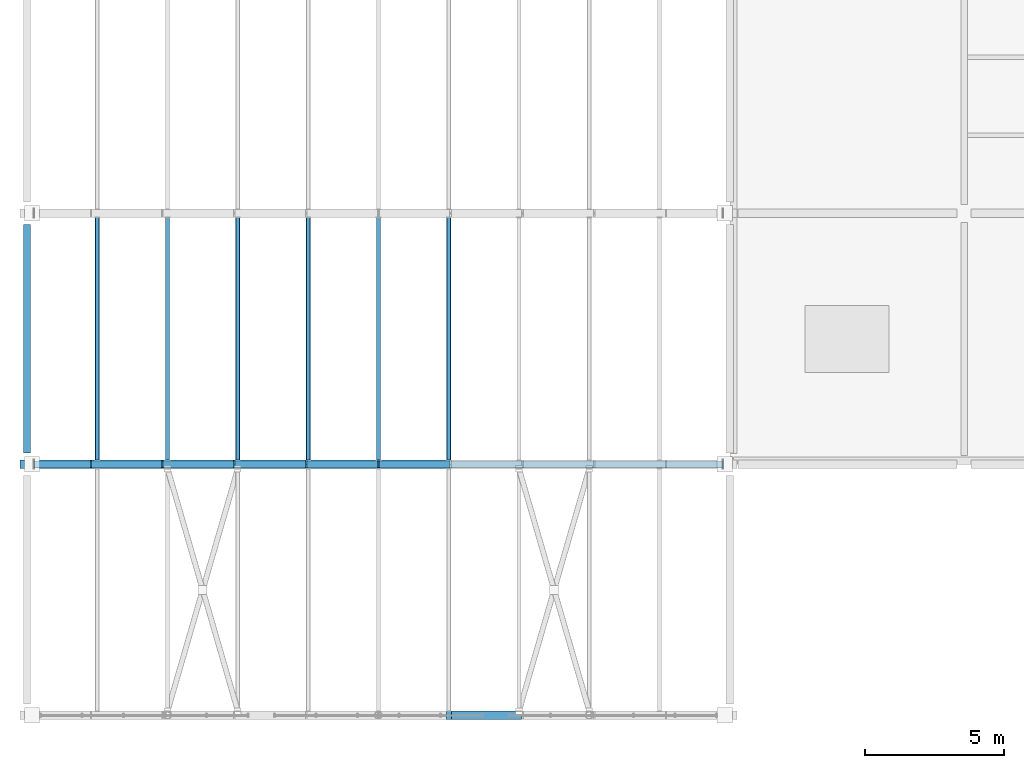
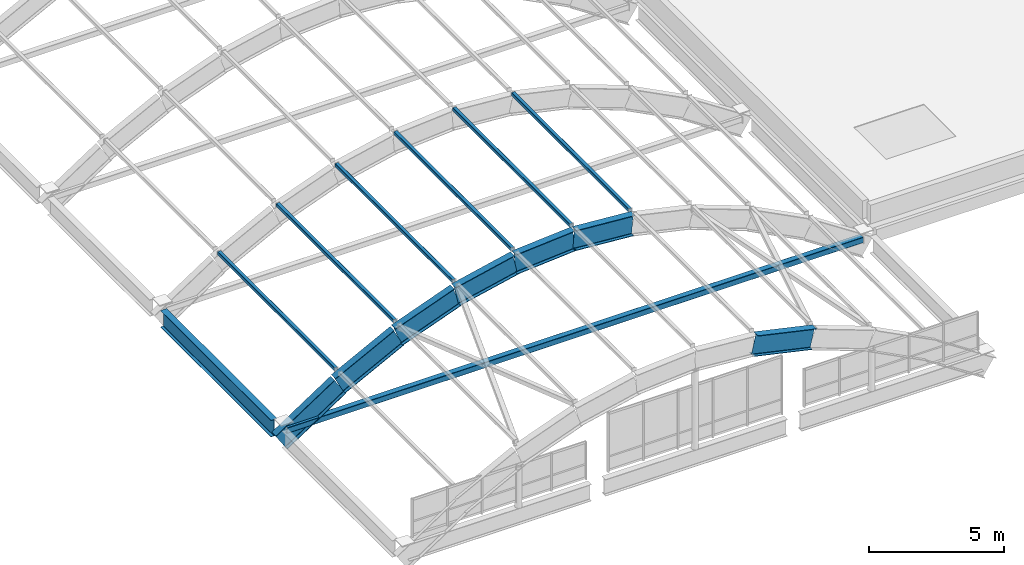
# One storey, part 10 of 130: 8 beams, 7 members.
"""IFC4 building model written with IfcOpenShell, lengths in metres."""

import ifcopenshell
import ifcopenshell.guid

model = None  # the IFC model being written
_history = None  # IfcOwnerHistory: only IFC2X3 demands one
_inside = {}  # id of a spatial element -> (the spatial element, [elements in it])
_under = {}  # id of a project, library or spatial element -> (it, [spatial elements below it])
_declared = {}  # id of a project -> (the project, [libraries it declares])
_typed = {}  # id of a type object -> (the type object, [elements of that type])
_made_of = {}  # id of a material, layer set ... -> (it, [elements and type objects made of it])


def new_model(schema):
    """Start an empty IFC model of exactly this schema.

    Asked for "IFC4X3", IfcOpenShell would pick the latest addendum, in which some entities
    have other attributes; the version numbers below select the first issue.
    IFC2X3 requires an IfcOwnerHistory on every rooted entity: one is made here for all.
    """
    global model, _history
    if schema == "IFC4X3":
        model = ifcopenshell.file(schema_version=(4, 3, 0, 0))
    else:
        model = ifcopenshell.file(schema=schema)
    _inside.clear()
    _under.clear()
    _declared.clear()
    _typed.clear()
    _made_of.clear()
    _history = None
    if model.schema == "IFC2X3":
        org = make("IfcOrganization", Name="unknown")
        user = make(
            "IfcPersonAndOrganization",
            ThePerson=make("IfcPerson", FamilyName="unknown"),
            TheOrganization=org,
        )
        app = make(
            "IfcApplication",
            ApplicationDeveloper=org,
            Version="unknown",
            ApplicationFullName="unknown",
            ApplicationIdentifier="unknown",
        )
        _history = make(
            "IfcOwnerHistory",
            OwningUser=user,
            OwningApplication=app,
            ChangeAction="ADDED",
            CreationDate=0,
        )
    return model


def make(cls, **values):
    """One entity of the class cls with the attributes given. An attribute that is None is left unset."""
    return model.create_entity(
        cls, **{name: value for name, value in values.items() if value is not None}
    )


def rooted(cls, **values):
    """An entity with a GlobalId (a new one), such as an element, a storey or a relation."""
    return make(cls, GlobalId=ifcopenshell.guid.new(), OwnerHistory=_history, **values)


def si_unit(unit_type, name, prefix=None):
    """IfcSIUnit, for example si_unit("LENGTHUNIT", "METRE", prefix="MILLI")."""
    return make("IfcSIUnit", UnitType=unit_type, Prefix=prefix, Name=name)


def assignment(units):
    """IfcUnitAssignment: the units of a project."""
    return None if units is None else make("IfcUnitAssignment", Units=units)


def point(xyz):
    """IfcCartesianPoint."""
    return None if xyz is None else make("IfcCartesianPoint", Coordinates=xyz)


def direction(xyz):
    """IfcDirection."""
    return None if xyz is None else make("IfcDirection", DirectionRatios=xyz)


def frame(location, z_axis=None, x_axis=None):
    """IfcAxis2Placement3D, a coordinate frame: its origin and axes. An axis left out is left unset."""
    return make(
        "IfcAxis2Placement3D",
        Location=point(location),
        Axis=direction(z_axis),
        RefDirection=direction(x_axis),
    )


def frame_2d(location, x_axis=None):
    """IfcAxis2Placement2D, a coordinate frame in the plane: its origin and x axis."""
    return make(
        "IfcAxis2Placement2D", Location=point(location), RefDirection=direction(x_axis)
    )


def origin():
    """The frame at (0, 0, 0) with its axes left unset."""
    return frame((0.0, 0.0, 0.0))


def origin_2d():
    """The frame at (0, 0) in the plane with its x axis left unset."""
    return frame_2d((0.0, 0.0))


def place(relative_to, where):
    """IfcLocalPlacement: puts the frame where relative to a parent placement (None: the world)."""
    return make(
        "IfcLocalPlacement", PlacementRelTo=relative_to, RelativePlacement=where
    )


def context(
    kind, dimensions, precision=None, world=None, true_north=None, identifier=None
):
    """IfcGeometricRepresentationContext, for example the 3D "Model" context."""
    return make(
        "IfcGeometricRepresentationContext",
        ContextIdentifier=identifier,
        ContextType=kind,
        CoordinateSpaceDimension=dimensions,
        Precision=precision,
        WorldCoordinateSystem=world,
        TrueNorth=true_north,
    )


def subcontext(parent, identifier, kind, view, scale=None):
    """IfcGeometricRepresentationSubContext, for example "Body" below "Model"."""
    return make(
        "IfcGeometricRepresentationSubContext",
        ContextIdentifier=identifier,
        ContextType=kind,
        ParentContext=parent,
        TargetScale=scale,
        TargetView=view,
    )


def project(units=None, contexts=None):
    """IfcProject with its units and contexts."""
    return rooted(
        "IfcProject",
        Name="project",
        RepresentationContexts=contexts,
        UnitsInContext=assignment(units),
    )


def spatial(cls, under=None, at=None, **own):
    """A site, building, storey or space (cls), placed at a placement, below another one or the project."""
    s = rooted(cls, ObjectPlacement=at, **own)
    if under is not None:
        _under.setdefault(under.id(), (under, []))[1].append(s)
    return s


def profile(cls, at=None, kind="AREA", **sizes):
    """A parametric profile (cls). Its sizes go by their IFC names, for example OverallWidth=200.0."""
    return make(cls, ProfileType=kind, Position=at, **sizes)


def hollow_rectangle(**sizes):
    """IfcRectangleHollowProfileDef."""
    return profile("IfcRectangleHollowProfileDef", **sizes)


def i_section(**sizes):
    """IfcIShapeProfileDef."""
    return profile("IfcIShapeProfileDef", **sizes)


def extrude(swept, where, along, depth):
    """IfcExtrudedAreaSolid: the profile swept, set in the frame where, extruded along a direction by depth."""
    return make(
        "IfcExtrudedAreaSolid",
        SweptArea=swept,
        Position=where,
        ExtrudedDirection=direction(along),
        Depth=depth,
    )


def shape(context_of_items, identifier, shape_type, items):
    """IfcShapeRepresentation: the items that make up one representation, for example the "Body"."""
    return make(
        "IfcShapeRepresentation",
        ContextOfItems=context_of_items,
        RepresentationIdentifier=identifier,
        RepresentationType=shape_type,
        Items=items,
    )


def material(Name=None, Category=None):
    """IfcMaterial."""
    return make("IfcMaterial", Name=Name, Category=Category)


def material_profile(
    of_material, cross_section, Name=None, Category=None, Priority=None
):
    """IfcMaterialProfile: a cross section and its material."""
    return make(
        "IfcMaterialProfile",
        Name=Name,
        Material=of_material,
        Profile=cross_section,
        Priority=Priority,
        Category=Category,
    )


def profile_set(profiles, Name=None, composite=None):
    """IfcMaterialProfileSet."""
    return make(
        "IfcMaterialProfileSet",
        Name=Name,
        MaterialProfiles=profiles,
        CompositeProfile=composite,
    )


def made_of(thing, what):
    """Note that an element or type object is made of a material, layer set ...; save() writes the relation."""
    if what is not None:
        _made_of.setdefault(what.id(), (what, []))[1].append(thing)
    return thing


def type_object(cls, material=None, **own):
    """A type object (cls), such as IfcWallType, which elements share."""
    return made_of(rooted(cls, **own), material)


def element(
    cls,
    number,
    at=None,
    inside=None,
    cuts=None,
    type_object=None,
    material=None,
    context=None,
    identifier="Body",
    shape_type=None,
    held_by="IfcProductDefinitionShape",
    body=None,
    shapes=None,
    **own,
):
    """One element of the class cls, such as IfcWall. Its Tag is "e" and its number.

    at: its placement. inside: the storey or other place that contains it. cuts: it is an
    opening in that element (IfcRelVoidsElement). A single representation is given by context,
    identifier, shape_type and body (its items); several are given by shapes. held_by: the class
    of the entity that holds the representations. save() writes the other relations.
    """
    e = rooted(cls, Tag="e%d" % number, ObjectPlacement=at, **own)
    if body is not None:
        shapes = [shape(context, identifier, shape_type, body)]
    if shapes is not None:
        e.Representation = make(held_by, Representations=shapes)
    if inside is not None:
        _inside.setdefault(inside.id(), (inside, []))[1].append(e)
    if cuts is not None:
        rooted(
            "IfcRelVoidsElement", RelatingBuildingElement=cuts, RelatedOpeningElement=e
        )
    if type_object is not None:
        _typed.setdefault(type_object.id(), (type_object, []))[1].append(e)
    return made_of(e, material)


def aggregate(whole, parts):
    """IfcRelAggregates: a whole, such as a stair, and the parts it consists of."""
    return rooted("IfcRelAggregates", RelatingObject=whole, RelatedObjects=parts)


def save(model, path):
    """Write the relations noted so far, then the file.

    IfcRelAggregates (storeys below a building ...), IfcRelContainedInSpatialStructure (elements
    in a storey), IfcRelDefinesByType, IfcRelAssociatesMaterial and IfcRelDeclares: one each for
    every whole, place, type object, material and project.
    """
    for whole, parts in _under.values():
        aggregate(whole, parts)
    for where, things in _inside.values():
        rooted(
            "IfcRelContainedInSpatialStructure",
            RelatedElements=things,
            RelatingStructure=where,
        )
    for kind, things in _typed.values():
        rooted("IfcRelDefinesByType", RelatedObjects=things, RelatingType=kind)
    for what, things in _made_of.values():
        rooted("IfcRelAssociatesMaterial", RelatedObjects=things, RelatingMaterial=what)
    for by, libraries in _declared.values():
        rooted("IfcRelDeclares", RelatingContext=by, RelatedDefinitions=libraries)
    model.write(path)


model = new_model("IFC4")

# Units and contexts
model_context = context("Model", 3, precision=1e-05, world=origin(), true_north=direction((0.0, 1.0)))
body_context = subcontext(model_context, "Body", "Model", "MODEL_VIEW")
ifc_project = project(units=[si_unit("LENGTHUNIT", "METRE"), si_unit("AREAUNIT", "SQUARE_METRE"), si_unit("VOLUMEUNIT", "CUBIC_METRE"), si_unit("PLANEANGLEUNIT", "RADIAN"), si_unit("MASSUNIT", "GRAM", prefix="KILO")], contexts=[model_context])

# Site, building, storey
site_placement = place(None, origin())
site = spatial("IfcSite", under=ifc_project, at=site_placement, CompositionType="ELEMENT")
building_placement = place(site_placement, origin())
building = spatial("IfcBuilding", under=site, at=building_placement, Name="Vireocrest Preparatory School", CompositionType="ELEMENT")
storey_placement = place(building_placement, frame((0.0, 0.0, 9.0)))
storey = spatial("IfcBuildingStorey", under=building, at=storey_placement, Name="L02", CompositionType="ELEMENT", Elevation=9.0)

# Members
ifc_material_1 = material(Name="Structural steel ASTM A500 Grade C", Category="steel")
ifc_material_profile_1 = material_profile(ifc_material_1, hollow_rectangle(XDim=0.15234375, YDim=0.15234375, WallThickness=0.0087890625, InnerFilletRadius=0.0087890625, OuterFilletRadius=0.017822265625, at=origin_2d()), Name="HSS6X6X3/8")
ifc_profile_set_1 = profile_set([ifc_material_profile_1], Name="Structural steel ASTM A500 Grade C")
member_type_1 = type_object("IfcMemberType", Name="Barrel Vault Steel Purlin HSS6X6X3/8", PredefinedType="PURLIN", material=ifc_profile_set_1)
for number, where, z_axis, x_axis, name in (
    (1, (2.52001953125, 18.1474609375, 1.32177734375), (0.0, 1.0, 0.0), (-1.0, 0.0, 0.0), "Sports Hall Barrel Vault Roof Purlin 2-2"),
    (2, (5.0400390625, 18.1474609375, 2.620849609375), (0.0, 1.0, 0.0), (-1.0, 0.0, 0.0), "Sports Hall Barrel Vault Roof Purlin 2-3"),
    (3, (7.56005859375, 18.1474609375, 3.552001953125), (0.0, 1.0, 0.0), (-1.0, 0.0, 0.0), "Sports Hall Barrel Vault Roof Purlin 2-4"),
    (4, (10.080078125, 18.1474609375, 4.114990234375), (0.0, 1.0, 0.0), (-1.0, 0.0, 0.0), "Sports Hall Barrel Vault Roof Purlin 2-5"),
    (5, (12.60009765625, 18.1474609375, 4.310302734375), (0.0, 1.0, 0.0), (-1.0, 0.0, 0.0), "Sports Hall Barrel Vault Roof Purlin 2-6"),
    (6, (15.1201171875, 18.1474609375, 4.114990234375), (0.0, 1.0, 0.0), (-1.0, 0.0, 0.0), "Sports Hall Barrel Vault Roof Purlin 2-7"),
):
    element("IfcMember", number, at=place(storey_placement, frame(where, z_axis=z_axis, x_axis=x_axis)), inside=storey, type_object=member_type_1, Name=name, PredefinedType="PURLIN", context=body_context, shape_type="SweptSolid", body=[
        extrude(hollow_rectangle(XDim=0.15234375, YDim=0.15234375, WallThickness=0.0087890625, InnerFilletRadius=0.0087890625, OuterFilletRadius=0.017822265625, at=origin_2d()), origin(), (0.0, 0.0, 1.0), 8.705078125),
    ])

# Beams
ifc_material_2 = material(Name="Structural steel ASTM A992 Grade 50", Category="steel")
ifc_material_profile_2 = material_profile(ifc_material_2, i_section(OverallWidth=0.304931640625, OverallDepth=0.904052734375, WebThickness=0.01513671875, FlangeThickness=0.02001953125, FilletRadius=0.02392578125, at=origin_2d()), Name="W36X135")
ifc_profile_set_2 = profile_set([ifc_material_profile_2], Name="Structural steel ASTM A992 Grade 50")
beam_type_1 = type_object("IfcBeamType", Name="Sports Hall Barrel Vault Arch Rib W36X135", PredefinedType="BEAM", material=ifc_profile_set_2)
beam_1_placement = place(storey_placement, frame((15.1201171875, 9.0, 3.588134765625), z_axis=(0.975937226942, 0.0, -0.218051666053), x_axis=(0.0, 1.0, 0.0)))
element("IfcBeam", 7, at=beam_1_placement, inside=storey, type_object=beam_type_1, Name="Sports Hall Barrel Vault Roof Arch Rib 1 Seg 7", PredefinedType="BEAM", context=body_context, shape_type="SweptSolid", body=[
    extrude(i_section(OverallWidth=0.304931640625, OverallDepth=0.904052734375, WebThickness=0.01513671875, FlangeThickness=0.02001953125, FilletRadius=0.02392578125, at=origin_2d()), origin(), (0.0, 0.0, 1.0), 2.581787109375),
])
ifc_material_profile_3 = material_profile(ifc_material_2, i_section(OverallWidth=0.304931640625, OverallDepth=0.912109375, WebThickness=0.015869140625, FlangeThickness=0.02392578125, FilletRadius=0.02392578125, at=origin_2d()), Name="W36X150")
ifc_profile_set_3 = profile_set([ifc_material_profile_3], Name="Structural steel ASTM A992 Grade 50")
beam_type_2 = type_object("IfcBeamType", Name="Sports Hall Barrel Vault Arch Rib W36X150", PredefinedType="BEAM", material=ifc_profile_set_3)
beam_2_placement = place(storey_placement, frame((0.0, 18.0, -0.944091796875), z_axis=(0.835706541366, 0.0, 0.54917627108), x_axis=(0.0, 1.0, 0.0)))
element("IfcBeam", 8, at=beam_2_placement, inside=storey, type_object=beam_type_2, Name="Sports Hall Barrel Vault Roof Arch Rib 2 Seg 1", PredefinedType="BEAM", context=body_context, shape_type="SweptSolid", body=[
    extrude(i_section(OverallWidth=0.304931640625, OverallDepth=0.912109375, WebThickness=0.015869140625, FlangeThickness=0.02392578125, FilletRadius=0.02392578125, at=origin_2d()), origin(), (0.0, 0.0, 1.0), 3.015380859375),
])
beam_3_placement = place(storey_placement, frame((2.52001953125, 18.0, 0.745361328125), z_axis=(0.888848104135, 0.0, 0.458201972689), x_axis=(0.0, 1.0, 0.0)))
element("IfcBeam", 9, at=beam_3_placement, inside=storey, type_object=beam_type_2, Name="Sports Hall Barrel Vault Roof Arch Rib 2 Seg 2", PredefinedType="BEAM", context=body_context, shape_type="SweptSolid", body=[
    extrude(i_section(OverallWidth=0.304931640625, OverallDepth=0.912109375, WebThickness=0.015869140625, FlangeThickness=0.02392578125, FilletRadius=0.02392578125, at=origin_2d()), origin(), (0.0, 0.0, 1.0), 2.835205078125),
])
beam_4_placement = place(storey_placement, frame((5.0400390625, 18.0, 2.0712890625), z_axis=(0.938043310504, 0.0, 0.346518033613), x_axis=(0.0, 1.0, 0.0)))
element("IfcBeam", 10, at=beam_4_placement, inside=storey, type_object=beam_type_2, Name="Sports Hall Barrel Vault Roof Arch Rib 2 Seg 3", PredefinedType="BEAM", context=body_context, shape_type="SweptSolid", body=[
    extrude(i_section(OverallWidth=0.304931640625, OverallDepth=0.912109375, WebThickness=0.015869140625, FlangeThickness=0.02392578125, FilletRadius=0.02392578125, at=origin_2d()), origin(), (0.0, 0.0, 1.0), 2.6865234375),
])
beam_5_placement = place(storey_placement, frame((7.56005859375, 18.0, 3.02099609375), z_axis=(0.975941722244, 0.0, 0.218031545388), x_axis=(0.0, 1.0, 0.0)))
element("IfcBeam", 11, at=beam_5_placement, inside=storey, type_object=beam_type_2, Name="Sports Hall Barrel Vault Roof Arch Rib 2 Seg 4", PredefinedType="BEAM", context=body_context, shape_type="SweptSolid", body=[
    extrude(i_section(OverallWidth=0.304931640625, OverallDepth=0.912109375, WebThickness=0.015869140625, FlangeThickness=0.02392578125, FilletRadius=0.02392578125, at=origin_2d()), origin(), (0.0, 0.0, 1.0), 2.58203125),
])
for number, where, z_axis, x_axis, name in (
    (12, (10.080078125, 18.0, 3.59375), (0.997017437862, 0.0, 0.077176606554), (0.0, 1.0, 0.0), "Sports Hall Barrel Vault Roof Arch Rib 2 Seg 5"),
    (13, (12.60009765625, 18.0, 3.788818359375), (0.997017437862, 0.0, -0.077176606554), (0.0, 1.0, 0.0), "Sports Hall Barrel Vault Roof Arch Rib 2 Seg 6"),
):
    element("IfcBeam", number, at=place(storey_placement, frame(where, z_axis=z_axis, x_axis=x_axis)), inside=storey, type_object=beam_type_2, Name=name, PredefinedType="BEAM", context=body_context, shape_type="SweptSolid", body=[
        extrude(i_section(OverallWidth=0.304931640625, OverallDepth=0.912109375, WebThickness=0.015869140625, FlangeThickness=0.02392578125, FilletRadius=0.02392578125, at=origin_2d()), origin(), (0.0, 0.0, 1.0), 2.527587890625),
    ])
ifc_material_profile_4 = material_profile(ifc_material_2, i_section(OverallWidth=0.26708984375, OverallDepth=0.758056640625, WebThickness=0.013916015625, FlangeThickness=0.019287109375, FilletRadius=0.01904296875, at=origin_2d()), Name="W30X108")
ifc_profile_set_4 = profile_set([ifc_material_profile_4], Name="Structural steel ASTM A992 Grade 50")
beam_type_3 = type_object("IfcBeamType", Name="Sports Hall Vault Ring Beam W30X108", PredefinedType="BEAM", material=ifc_profile_set_4)
beam_6_placement = place(storey_placement, frame((0.0, 18.39990234375, -0.59912109375), z_axis=(0.0, 1.0, 0.0), x_axis=(-1.0, 0.0, 0.0)))
element("IfcBeam", 14, at=beam_6_placement, inside=storey, type_object=beam_type_3, Name="Sports Hall Barrel Vault Roof Ring Beam W 18.0-27.0", PredefinedType="BEAM", context=body_context, shape_type="SweptSolid", body=[
    extrude(i_section(OverallWidth=0.26708984375, OverallDepth=0.758056640625, WebThickness=0.013916015625, FlangeThickness=0.019287109375, FilletRadius=0.01904296875, at=origin_2d()), origin(), (0.0, 0.0, 1.0), 8.2001953125),
])

# Member
ifc_material_profile_5 = material_profile(ifc_material_1, hollow_rectangle(XDim=0.25390625, YDim=0.25390625, WallThickness=0.01171875, InnerFilletRadius=0.01171875, OuterFilletRadius=0.023681640625, at=origin_2d()), Name="HSS10X10X1/2")
ifc_profile_set_5 = profile_set([ifc_material_profile_5], Name="Structural steel ASTM A500 Grade C")
member_type_2 = type_object("IfcMemberType", Name="Sports Hall Vault Springing Tie Rod HSS10X10X1/2", PredefinedType="CHORD", material=ifc_profile_set_5)
member_placement = place(storey_placement, frame((0.25, 18.0, -0.51416015625), z_axis=(1.0, 0.0, 0.0), x_axis=(0.0, 1.0, 0.0)))
element("IfcMember", 15, at=member_placement, inside=storey, type_object=member_type_2, Name="Sports Hall Barrel Vault Roof Vault Springing Tie Rod VT1-2", PredefinedType="CHORD", context=body_context, shape_type="SweptSolid", body=[
    extrude(hollow_rectangle(XDim=0.25390625, YDim=0.25390625, WallThickness=0.01171875, InnerFilletRadius=0.01171875, OuterFilletRadius=0.023681640625, at=origin_2d()), origin(), (0.0, 0.0, 1.0), 24.699951171875),
])

save(model, "model.ifc")
